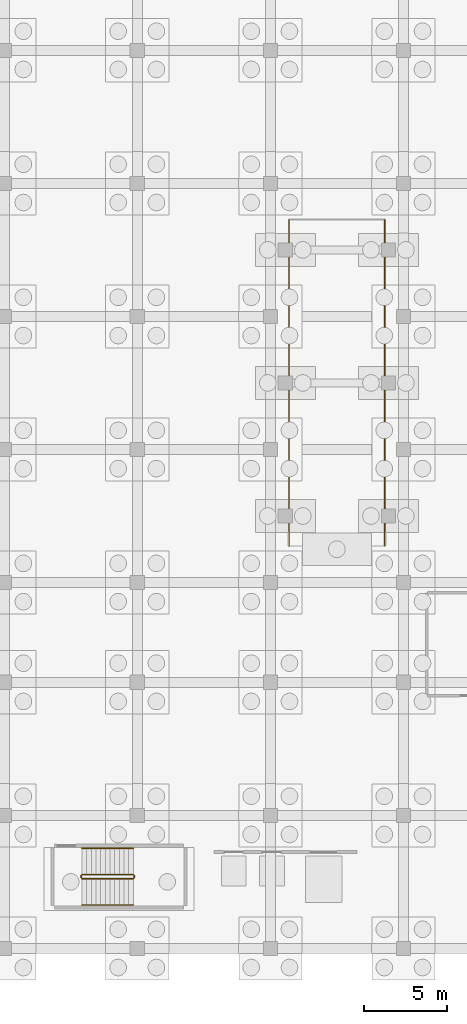
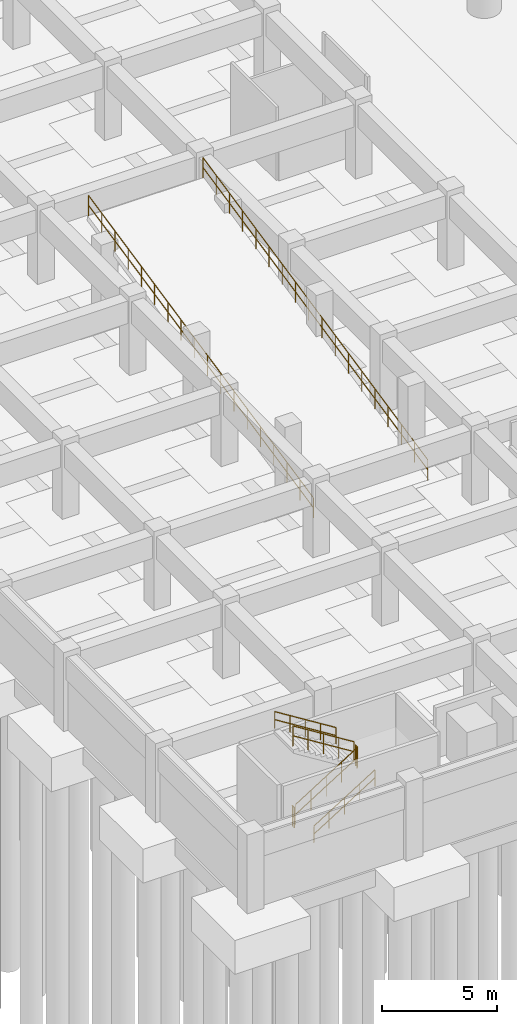
# One storey, part 18 of 23: 8 railings.
"""IFC4 building model written with IfcOpenShell, lengths in metres."""

from ifc_helpers import new_model, si_unit, direction, frame, origin, place, context, subcontext, project, spatial, polyline, outline, extrude, material, type_object, element, save


model = new_model("IFC4")

# Units and contexts
model_context = context("Model", 3, precision=1e-05, world=origin(), true_north=direction((0.0, 1.0)))
body_context = subcontext(model_context, "Body", "Model", "MODEL_VIEW")
ifc_project = project(units=[si_unit("LENGTHUNIT", "METRE"), si_unit("AREAUNIT", "SQUARE_METRE"), si_unit("VOLUMEUNIT", "CUBIC_METRE"), si_unit("PLANEANGLEUNIT", "RADIAN"), si_unit("MASSUNIT", "GRAM", prefix="KILO")], contexts=[model_context])

# Site, building, storey
site_placement = place(None, origin())
site = spatial("IfcSite", under=ifc_project, at=site_placement, CompositionType="ELEMENT")
building_placement = place(site_placement, origin())
building = spatial("IfcBuilding", under=site, at=building_placement, Name="Kelanora Arch Commons", CompositionType="ELEMENT")
storey_placement = place(building_placement, frame((0.0, 0.0, -8.39990234375)))
storey = spatial("IfcBuildingStorey", under=building, at=storey_placement, Name="B02", CompositionType="ELEMENT", Elevation=-8.39990234375)

# Railings
ifc_material_1 = material(Name="Painted steel stair well guard", Category="steel")
railing_type_1 = type_object("IfcRailingType", Name="RAIL-STAIR-GRD", PredefinedType="GUARDRAIL", material=ifc_material_1)
railing_1_placement = place(storey_placement, frame((8.679931640625, 8.18994140625, 0.1748046875)))
element("IfcRailing", 1, at=railing_1_placement, inside=storey, type_object=railing_type_1, Name="B02 ST-M1 stair guard 1", PredefinedType="GUARDRAIL", context=body_context, shape_type="SweptSolid", body=[
    extrude(outline(polyline([(0.02392578125, 0.0), (0.011962890625, 0.020751953125), (-0.011962890625, 0.020751953125), (-0.02392578125, 0.0), (-0.011962890625, -0.020751953125), (0.011962890625, -0.020751953125), (0.02392578125, 0.0)])), frame((0.0, 0.0, 1.076171875), z_axis=(0.847998304005, 0.0, 0.529998940003), x_axis=(0.0, 1.0, 0.0)), (0.0, 0.0, 1.0), 3.632080078125),
    extrude(outline(polyline([(0.02392578125, 0.0), (0.011962890625, 0.020751953125), (-0.011962890625, 0.020751953125), (-0.02392578125, 0.0), (-0.011962890625, -0.020751953125), (0.011962890625, -0.020751953125), (0.02392578125, 0.0)])), frame((0.0, 0.0, 0.550048828125), z_axis=(0.847998304005, 0.0, 0.529998940003), x_axis=(0.0, 1.0, 0.0)), (0.0, 0.0, 1.0), 3.632080078125),
    extrude(outline(polyline([(0.02099609375, 0.0), (0.010498046875, 0.01806640625), (-0.010498046875, 0.01806640625), (-0.02099609375, 0.0), (-0.010498046875, -0.01806640625), (0.010498046875, -0.01806640625), (0.02099609375, 0.0)])), origin(), (0.0, 0.0, 1.0), 1.052001953125),
    extrude(outline(polyline([(0.02099609375, 0.0), (0.010498046875, 0.01806640625), (-0.010498046875, 0.01806640625), (-0.02099609375, 0.0), (-0.010498046875, -0.01806640625), (0.010498046875, -0.01806640625), (0.02099609375, 0.0)])), frame((0.77001953125, 0.0, 0.481201171875)), (0.0, 0.0, 1.0), 1.052001953125),
    extrude(outline(polyline([(0.02099609375, 0.0), (0.010498046875, 0.01806640625), (-0.010498046875, 0.01806640625), (-0.02099609375, 0.0), (-0.010498046875, -0.01806640625), (0.010498046875, -0.01806640625), (0.02099609375, 0.0)])), frame((1.5400390625, 0.0, 0.96240234375)), (0.0, 0.0, 1.0), 1.052001953125),
    extrude(outline(polyline([(0.02099609375, 0.0), (0.010498046875, 0.01806640625), (-0.010498046875, 0.01806640625), (-0.02099609375, 0.0), (-0.010498046875, -0.01806640625), (0.010498046875, -0.01806640625), (0.02099609375, 0.0)])), frame((2.31005859375, 0.0, 1.44384765625)), (0.0, 0.0, 1.0), 1.052001953125),
    extrude(outline(polyline([(0.02099609375, 0.0), (0.010498046875, 0.01806640625), (-0.010498046875, 0.01806640625), (-0.02099609375, 0.0), (-0.010498046875, -0.01806640625), (0.010498046875, -0.01806640625), (0.02099609375, 0.0)])), frame((3.080078125, 0.0, 1.925048828125)), (0.0, 0.0, 1.0), 1.052001953125),
])
railing_2_placement = place(storey_placement, frame((11.81005859375, 8.239990234375, 2.099853515625)))
element("IfcRailing", 2, at=railing_2_placement, inside=storey, type_object=railing_type_1, Name="B02 ST-M1 stair guard 2", PredefinedType="GUARDRAIL", context=body_context, shape_type="SweptSolid", body=[
    extrude(outline(polyline([(0.02392578125, 0.0), (0.011962890625, 0.020751953125), (-0.011962890625, 0.020751953125), (-0.02392578125, 0.0), (-0.011962890625, -0.020751953125), (0.011962890625, -0.020751953125), (0.02392578125, 0.0)])), frame((0.0, 0.0, 1.076171875), z_axis=(0.0, 1.0, 0.0), x_axis=(-1.0, 0.0, 0.0)), (0.0, 0.0, 1.0), 0.14990234375),
    extrude(outline(polyline([(0.02392578125, 0.0), (0.011962890625, 0.020751953125), (-0.011962890625, 0.020751953125), (-0.02392578125, 0.0), (-0.011962890625, -0.020751953125), (0.011962890625, -0.020751953125), (0.02392578125, 0.0)])), frame((0.0, 0.0, 0.550048828125), z_axis=(0.0, 1.0, 0.0), x_axis=(-1.0, 0.0, 0.0)), (0.0, 0.0, 1.0), 0.14990234375),
    extrude(outline(polyline([(0.02099609375, 0.0), (0.010498046875, 0.01806640625), (-0.010498046875, 0.01806640625), (-0.02099609375, 0.0), (-0.010498046875, -0.01806640625), (0.010498046875, -0.01806640625), (0.02099609375, 0.0)])), origin(), (0.0, 0.0, 1.0), 1.052001953125),
    extrude(outline(polyline([(0.02099609375, 0.0), (0.010498046875, 0.01806640625), (-0.010498046875, 0.01806640625), (-0.02099609375, 0.0), (-0.010498046875, -0.01806640625), (0.010498046875, -0.01806640625), (0.02099609375, 0.0)])), frame((0.0, 0.14990234375, 0.0)), (0.0, 0.0, 1.0), 1.052001953125),
])
railing_3_placement = place(storey_placement, frame((11.760009765625, 8.43994140625, 2.27490234375)))
element("IfcRailing", 3, at=railing_3_placement, inside=storey, type_object=railing_type_1, Name="B02 ST-M1 stair guard 3", PredefinedType="GUARDRAIL", context=body_context, shape_type="SweptSolid", body=[
    extrude(outline(polyline([(0.02392578125, 0.0), (0.011962890625, 0.020751953125), (-0.011962890625, 0.020751953125), (-0.02392578125, 0.0), (-0.011962890625, -0.020751953125), (0.011962890625, -0.020751953125), (0.02392578125, 0.0)])), frame((0.0, 0.0, 1.076171875), z_axis=(-0.847998304005, 0.0, 0.529998940003), x_axis=(0.0, -1.0, 0.0)), (0.0, 0.0, 1.0), 3.632080078125),
    extrude(outline(polyline([(0.02392578125, 0.0), (0.011962890625, 0.020751953125), (-0.011962890625, 0.020751953125), (-0.02392578125, 0.0), (-0.011962890625, -0.020751953125), (0.011962890625, -0.020751953125), (0.02392578125, 0.0)])), frame((0.0, 0.0, 0.550048828125), z_axis=(-0.847998304005, 0.0, 0.529998940003), x_axis=(0.0, -1.0, 0.0)), (0.0, 0.0, 1.0), 3.632080078125),
    extrude(outline(polyline([(0.02099609375, 0.0), (0.010498046875, 0.01806640625), (-0.010498046875, 0.01806640625), (-0.02099609375, 0.0), (-0.010498046875, -0.01806640625), (0.010498046875, -0.01806640625), (0.02099609375, 0.0)])), origin(), (0.0, 0.0, 1.0), 1.052001953125),
    extrude(outline(polyline([(0.02099609375, 0.0), (0.010498046875, 0.01806640625), (-0.010498046875, 0.01806640625), (-0.02099609375, 0.0), (-0.010498046875, -0.01806640625), (0.010498046875, -0.01806640625), (0.02099609375, 0.0)])), frame((-0.77001953125, 0.0, 0.481201171875)), (0.0, 0.0, 1.0), 1.052001953125),
    extrude(outline(polyline([(0.02099609375, 0.0), (0.010498046875, 0.01806640625), (-0.010498046875, 0.01806640625), (-0.02099609375, 0.0), (-0.010498046875, -0.01806640625), (0.010498046875, -0.01806640625), (0.02099609375, 0.0)])), frame((-1.5400390625, 0.0, 0.96240234375)), (0.0, 0.0, 1.0), 1.052001953125),
    extrude(outline(polyline([(0.02099609375, 0.0), (0.010498046875, 0.01806640625), (-0.010498046875, 0.01806640625), (-0.02099609375, 0.0), (-0.010498046875, -0.01806640625), (0.010498046875, -0.01806640625), (0.02099609375, 0.0)])), frame((-2.31005859375, 0.0, 1.44384765625)), (0.0, 0.0, 1.0), 1.052001953125),
    extrude(outline(polyline([(0.02099609375, 0.0), (0.010498046875, 0.01806640625), (-0.010498046875, 0.01806640625), (-0.02099609375, 0.0), (-0.010498046875, -0.01806640625), (0.010498046875, -0.01806640625), (0.02099609375, 0.0)])), frame((-3.080078125, 0.0, 1.925048828125)), (0.0, 0.0, 1.0), 1.052001953125),
])
railing_4_placement = place(storey_placement, frame((8.6298828125, 8.239990234375, 0.0)))
element("IfcRailing", 4, at=railing_4_placement, inside=storey, type_object=railing_type_1, Name="B02 ST-M1 stair guard 4", PredefinedType="GUARDRAIL", context=body_context, shape_type="SweptSolid", body=[
    extrude(outline(polyline([(0.02392578125, 0.0), (0.011962890625, 0.020751953125), (-0.011962890625, 0.020751953125), (-0.02392578125, 0.0), (-0.011962890625, -0.020751953125), (0.011962890625, -0.020751953125), (0.02392578125, 0.0)])), frame((0.0, 0.0, 1.076171875), z_axis=(0.0, 1.0, 0.0), x_axis=(-1.0, 0.0, 0.0)), (0.0, 0.0, 1.0), 0.14990234375),
    extrude(outline(polyline([(0.02392578125, 0.0), (0.011962890625, 0.020751953125), (-0.011962890625, 0.020751953125), (-0.02392578125, 0.0), (-0.011962890625, -0.020751953125), (0.011962890625, -0.020751953125), (0.02392578125, 0.0)])), frame((0.0, 0.0, 0.550048828125), z_axis=(0.0, 1.0, 0.0), x_axis=(-1.0, 0.0, 0.0)), (0.0, 0.0, 1.0), 0.14990234375),
    extrude(outline(polyline([(0.02099609375, 0.0), (0.010498046875, 0.01806640625), (-0.010498046875, 0.01806640625), (-0.02099609375, 0.0), (-0.010498046875, -0.01806640625), (0.010498046875, -0.01806640625), (0.02099609375, 0.0)])), origin(), (0.0, 0.0, 1.0), 1.052001953125),
    extrude(outline(polyline([(0.02099609375, 0.0), (0.010498046875, 0.01806640625), (-0.010498046875, 0.01806640625), (-0.02099609375, 0.0), (-0.010498046875, -0.01806640625), (0.010498046875, -0.01806640625), (0.02099609375, 0.0)])), frame((0.0, 0.14990234375, 0.0)), (0.0, 0.0, 1.0), 1.052001953125),
])
railing_5_placement = place(storey_placement, frame((21.1201171875, 28.199951171875, 0.0)))
element("IfcRailing", 5, at=railing_5_placement, inside=storey, type_object=railing_type_1, Name="Vehicle Ramp Guard VEH-B02-B01-W", PredefinedType="GUARDRAIL", context=body_context, shape_type="SweptSolid", body=[
    extrude(outline(polyline([(0.02392578125, 0.0), (0.011962890625, 0.020751953125), (-0.011962890625, 0.020751953125), (-0.02392578125, 0.0), (-0.011962890625, -0.020751953125), (0.011962890625, -0.020751953125), (0.02392578125, 0.0)])), frame((0.0, 0.0, 1.076171875), z_axis=(0.0, 0.977803127024, 0.209525761618), x_axis=(-1.0, 0.0, 0.0)), (0.0, 0.0, 1.0), 20.044921875),
    extrude(outline(polyline([(0.02392578125, 0.0), (0.011962890625, 0.020751953125), (-0.011962890625, 0.020751953125), (-0.02392578125, 0.0), (-0.011962890625, -0.020751953125), (0.011962890625, -0.020751953125), (0.02392578125, 0.0)])), frame((0.0, 0.0, 0.550048828125), z_axis=(0.0, 0.977803127024, 0.209525761618), x_axis=(-1.0, 0.0, 0.0)), (0.0, 0.0, 1.0), 20.044921875),
    extrude(outline(polyline([(0.02099609375, 0.0), (0.010498046875, 0.01806640625), (-0.010498046875, 0.01806640625), (-0.02099609375, 0.0), (-0.010498046875, -0.01806640625), (0.010498046875, -0.01806640625), (0.02099609375, 0.0)])), origin(), (0.0, 0.0, 1.0), 1.052001953125),
    extrude(outline(polyline([(0.02099609375, 0.0), (0.010498046875, 0.01806640625), (-0.010498046875, 0.01806640625), (-0.02099609375, 0.0), (-0.010498046875, -0.01806640625), (0.010498046875, -0.01806640625), (0.02099609375, 0.0)])), frame((0.0, 1.15283203125, 0.2470703125)), (0.0, 0.0, 1.0), 1.052001953125),
    extrude(outline(polyline([(0.02099609375, 0.0), (0.010498046875, 0.01806640625), (-0.010498046875, 0.01806640625), (-0.02099609375, 0.0), (-0.010498046875, -0.01806640625), (0.010498046875, -0.01806640625), (0.02099609375, 0.0)])), frame((0.0, 2.305908203125, 0.494140625)), (0.0, 0.0, 1.0), 1.052001953125),
    extrude(outline(polyline([(0.02099609375, 0.0), (0.010498046875, 0.01806640625), (-0.010498046875, 0.01806640625), (-0.02099609375, 0.0), (-0.010498046875, -0.01806640625), (0.010498046875, -0.01806640625), (0.02099609375, 0.0)])), frame((0.0, 3.458740234375, 0.7412109375)), (0.0, 0.0, 1.0), 1.052001953125),
    extrude(outline(polyline([(0.02099609375, 0.0), (0.010498046875, 0.01806640625), (-0.010498046875, 0.01806640625), (-0.02099609375, 0.0), (-0.010498046875, -0.01806640625), (0.010498046875, -0.01806640625), (0.02099609375, 0.0)])), frame((0.0, 4.61181640625, 0.98828125)), (0.0, 0.0, 1.0), 1.052001953125),
    extrude(outline(polyline([(0.02099609375, 0.0), (0.010498046875, 0.01806640625), (-0.010498046875, 0.01806640625), (-0.02099609375, 0.0), (-0.010498046875, -0.01806640625), (0.010498046875, -0.01806640625), (0.02099609375, 0.0)])), frame((0.0, 5.7646484375, 1.2353515625)), (0.0, 0.0, 1.0), 1.052001953125),
    extrude(outline(polyline([(0.02099609375, 0.0), (0.010498046875, 0.01806640625), (-0.010498046875, 0.01806640625), (-0.02099609375, 0.0), (-0.010498046875, -0.01806640625), (0.010498046875, -0.01806640625), (0.02099609375, 0.0)])), frame((0.0, 6.917724609375, 1.482421875)), (0.0, 0.0, 1.0), 1.052001953125),
    extrude(outline(polyline([(0.02099609375, 0.0), (0.010498046875, 0.01806640625), (-0.010498046875, 0.01806640625), (-0.02099609375, 0.0), (-0.010498046875, -0.01806640625), (0.010498046875, -0.01806640625), (0.02099609375, 0.0)])), frame((0.0, 8.070556640625, 1.7294921875)), (0.0, 0.0, 1.0), 1.052001953125),
    extrude(outline(polyline([(0.02099609375, 0.0), (0.010498046875, 0.01806640625), (-0.010498046875, 0.01806640625), (-0.02099609375, 0.0), (-0.010498046875, -0.01806640625), (0.010498046875, -0.01806640625), (0.02099609375, 0.0)])), frame((0.0, 9.2236328125, 1.9765625)), (0.0, 0.0, 1.0), 1.052001953125),
    extrude(outline(polyline([(0.02099609375, 0.0), (0.010498046875, 0.01806640625), (-0.010498046875, 0.01806640625), (-0.02099609375, 0.0), (-0.010498046875, -0.01806640625), (0.010498046875, -0.01806640625), (0.02099609375, 0.0)])), frame((0.0, 10.37646484375, 2.223388671875)), (0.0, 0.0, 1.0), 1.052001953125),
    extrude(outline(polyline([(0.02099609375, 0.0), (0.010498046875, 0.01806640625), (-0.010498046875, 0.01806640625), (-0.02099609375, 0.0), (-0.010498046875, -0.01806640625), (0.010498046875, -0.01806640625), (0.02099609375, 0.0)])), frame((0.0, 11.529541015625, 2.470458984375)), (0.0, 0.0, 1.0), 1.052001953125),
    extrude(outline(polyline([(0.02099609375, 0.0), (0.010498046875, 0.01806640625), (-0.010498046875, 0.01806640625), (-0.02099609375, 0.0), (-0.010498046875, -0.01806640625), (0.010498046875, -0.01806640625), (0.02099609375, 0.0)])), frame((0.0, 12.682373046875, 2.717529296875)), (0.0, 0.0, 1.0), 1.052001953125),
    extrude(outline(polyline([(0.02099609375, 0.0), (0.010498046875, 0.01806640625), (-0.010498046875, 0.01806640625), (-0.02099609375, 0.0), (-0.010498046875, -0.01806640625), (0.010498046875, -0.01806640625), (0.02099609375, 0.0)])), frame((0.0, 13.83544921875, 2.964599609375)), (0.0, 0.0, 1.0), 1.052001953125),
    extrude(outline(polyline([(0.02099609375, 0.0), (0.010498046875, 0.01806640625), (-0.010498046875, 0.01806640625), (-0.02099609375, 0.0), (-0.010498046875, -0.01806640625), (0.010498046875, -0.01806640625), (0.02099609375, 0.0)])), frame((0.0, 14.98828125, 3.211669921875)), (0.0, 0.0, 1.0), 1.052001953125),
    extrude(outline(polyline([(0.02099609375, 0.0), (0.010498046875, 0.01806640625), (-0.010498046875, 0.01806640625), (-0.02099609375, 0.0), (-0.010498046875, -0.01806640625), (0.010498046875, -0.01806640625), (0.02099609375, 0.0)])), frame((0.0, 16.141357421875, 3.458740234375)), (0.0, 0.0, 1.0), 1.052001953125),
    extrude(outline(polyline([(0.02099609375, 0.0), (0.010498046875, 0.01806640625), (-0.010498046875, 0.01806640625), (-0.02099609375, 0.0), (-0.010498046875, -0.01806640625), (0.010498046875, -0.01806640625), (0.02099609375, 0.0)])), frame((0.0, 17.294189453125, 3.705810546875)), (0.0, 0.0, 1.0), 1.052001953125),
    extrude(outline(polyline([(0.02099609375, 0.0), (0.010498046875, 0.01806640625), (-0.010498046875, 0.01806640625), (-0.02099609375, 0.0), (-0.010498046875, -0.01806640625), (0.010498046875, -0.01806640625), (0.02099609375, 0.0)])), frame((0.0, 18.447265625, 3.952880859375)), (0.0, 0.0, 1.0), 1.052001953125),
    extrude(outline(polyline([(0.02099609375, 0.0), (0.010498046875, 0.01806640625), (-0.010498046875, 0.01806640625), (-0.02099609375, 0.0), (-0.010498046875, -0.01806640625), (0.010498046875, -0.01806640625), (0.02099609375, 0.0)])), frame((0.0, 19.60009765625, 4.199951171875)), (0.0, 0.0, 1.0), 1.052001953125),
])
railing_6_placement = place(storey_placement, frame((26.8798828125, 28.199951171875, 0.0)))
element("IfcRailing", 6, at=railing_6_placement, inside=storey, type_object=railing_type_1, Name="Vehicle Ramp Guard VEH-B02-B01-E", PredefinedType="GUARDRAIL", context=body_context, shape_type="SweptSolid", body=[
    extrude(outline(polyline([(0.02392578125, 0.0), (0.011962890625, 0.020751953125), (-0.011962890625, 0.020751953125), (-0.02392578125, 0.0), (-0.011962890625, -0.020751953125), (0.011962890625, -0.020751953125), (0.02392578125, 0.0)])), frame((0.0, 0.0, 1.076171875), z_axis=(0.0, 0.977803127024, 0.209525761618), x_axis=(-1.0, 0.0, 0.0)), (0.0, 0.0, 1.0), 20.044921875),
    extrude(outline(polyline([(0.02392578125, 0.0), (0.011962890625, 0.020751953125), (-0.011962890625, 0.020751953125), (-0.02392578125, 0.0), (-0.011962890625, -0.020751953125), (0.011962890625, -0.020751953125), (0.02392578125, 0.0)])), frame((0.0, 0.0, 0.550048828125), z_axis=(0.0, 0.977803127024, 0.209525761618), x_axis=(-1.0, 0.0, 0.0)), (0.0, 0.0, 1.0), 20.044921875),
    extrude(outline(polyline([(0.02099609375, 0.0), (0.010498046875, 0.01806640625), (-0.010498046875, 0.01806640625), (-0.02099609375, 0.0), (-0.010498046875, -0.01806640625), (0.010498046875, -0.01806640625), (0.02099609375, 0.0)])), origin(), (0.0, 0.0, 1.0), 1.052001953125),
    extrude(outline(polyline([(0.02099609375, 0.0), (0.010498046875, 0.01806640625), (-0.010498046875, 0.01806640625), (-0.02099609375, 0.0), (-0.010498046875, -0.01806640625), (0.010498046875, -0.01806640625), (0.02099609375, 0.0)])), frame((0.0, 1.15283203125, 0.2470703125)), (0.0, 0.0, 1.0), 1.052001953125),
    extrude(outline(polyline([(0.02099609375, 0.0), (0.010498046875, 0.01806640625), (-0.010498046875, 0.01806640625), (-0.02099609375, 0.0), (-0.010498046875, -0.01806640625), (0.010498046875, -0.01806640625), (0.02099609375, 0.0)])), frame((0.0, 2.305908203125, 0.494140625)), (0.0, 0.0, 1.0), 1.052001953125),
    extrude(outline(polyline([(0.02099609375, 0.0), (0.010498046875, 0.01806640625), (-0.010498046875, 0.01806640625), (-0.02099609375, 0.0), (-0.010498046875, -0.01806640625), (0.010498046875, -0.01806640625), (0.02099609375, 0.0)])), frame((0.0, 3.458740234375, 0.7412109375)), (0.0, 0.0, 1.0), 1.052001953125),
    extrude(outline(polyline([(0.02099609375, 0.0), (0.010498046875, 0.01806640625), (-0.010498046875, 0.01806640625), (-0.02099609375, 0.0), (-0.010498046875, -0.01806640625), (0.010498046875, -0.01806640625), (0.02099609375, 0.0)])), frame((0.0, 4.61181640625, 0.98828125)), (0.0, 0.0, 1.0), 1.052001953125),
    extrude(outline(polyline([(0.02099609375, 0.0), (0.010498046875, 0.01806640625), (-0.010498046875, 0.01806640625), (-0.02099609375, 0.0), (-0.010498046875, -0.01806640625), (0.010498046875, -0.01806640625), (0.02099609375, 0.0)])), frame((0.0, 5.7646484375, 1.2353515625)), (0.0, 0.0, 1.0), 1.052001953125),
    extrude(outline(polyline([(0.02099609375, 0.0), (0.010498046875, 0.01806640625), (-0.010498046875, 0.01806640625), (-0.02099609375, 0.0), (-0.010498046875, -0.01806640625), (0.010498046875, -0.01806640625), (0.02099609375, 0.0)])), frame((0.0, 6.917724609375, 1.482421875)), (0.0, 0.0, 1.0), 1.052001953125),
    extrude(outline(polyline([(0.02099609375, 0.0), (0.010498046875, 0.01806640625), (-0.010498046875, 0.01806640625), (-0.02099609375, 0.0), (-0.010498046875, -0.01806640625), (0.010498046875, -0.01806640625), (0.02099609375, 0.0)])), frame((0.0, 8.070556640625, 1.7294921875)), (0.0, 0.0, 1.0), 1.052001953125),
    extrude(outline(polyline([(0.02099609375, 0.0), (0.010498046875, 0.01806640625), (-0.010498046875, 0.01806640625), (-0.02099609375, 0.0), (-0.010498046875, -0.01806640625), (0.010498046875, -0.01806640625), (0.02099609375, 0.0)])), frame((0.0, 9.2236328125, 1.9765625)), (0.0, 0.0, 1.0), 1.052001953125),
    extrude(outline(polyline([(0.02099609375, 0.0), (0.010498046875, 0.01806640625), (-0.010498046875, 0.01806640625), (-0.02099609375, 0.0), (-0.010498046875, -0.01806640625), (0.010498046875, -0.01806640625), (0.02099609375, 0.0)])), frame((0.0, 10.37646484375, 2.223388671875)), (0.0, 0.0, 1.0), 1.052001953125),
    extrude(outline(polyline([(0.02099609375, 0.0), (0.010498046875, 0.01806640625), (-0.010498046875, 0.01806640625), (-0.02099609375, 0.0), (-0.010498046875, -0.01806640625), (0.010498046875, -0.01806640625), (0.02099609375, 0.0)])), frame((0.0, 11.529541015625, 2.470458984375)), (0.0, 0.0, 1.0), 1.052001953125),
    extrude(outline(polyline([(0.02099609375, 0.0), (0.010498046875, 0.01806640625), (-0.010498046875, 0.01806640625), (-0.02099609375, 0.0), (-0.010498046875, -0.01806640625), (0.010498046875, -0.01806640625), (0.02099609375, 0.0)])), frame((0.0, 12.682373046875, 2.717529296875)), (0.0, 0.0, 1.0), 1.052001953125),
    extrude(outline(polyline([(0.02099609375, 0.0), (0.010498046875, 0.01806640625), (-0.010498046875, 0.01806640625), (-0.02099609375, 0.0), (-0.010498046875, -0.01806640625), (0.010498046875, -0.01806640625), (0.02099609375, 0.0)])), frame((0.0, 13.83544921875, 2.964599609375)), (0.0, 0.0, 1.0), 1.052001953125),
    extrude(outline(polyline([(0.02099609375, 0.0), (0.010498046875, 0.01806640625), (-0.010498046875, 0.01806640625), (-0.02099609375, 0.0), (-0.010498046875, -0.01806640625), (0.010498046875, -0.01806640625), (0.02099609375, 0.0)])), frame((0.0, 14.98828125, 3.211669921875)), (0.0, 0.0, 1.0), 1.052001953125),
    extrude(outline(polyline([(0.02099609375, 0.0), (0.010498046875, 0.01806640625), (-0.010498046875, 0.01806640625), (-0.02099609375, 0.0), (-0.010498046875, -0.01806640625), (0.010498046875, -0.01806640625), (0.02099609375, 0.0)])), frame((0.0, 16.141357421875, 3.458740234375)), (0.0, 0.0, 1.0), 1.052001953125),
    extrude(outline(polyline([(0.02099609375, 0.0), (0.010498046875, 0.01806640625), (-0.010498046875, 0.01806640625), (-0.02099609375, 0.0), (-0.010498046875, -0.01806640625), (0.010498046875, -0.01806640625), (0.02099609375, 0.0)])), frame((0.0, 17.294189453125, 3.705810546875)), (0.0, 0.0, 1.0), 1.052001953125),
    extrude(outline(polyline([(0.02099609375, 0.0), (0.010498046875, 0.01806640625), (-0.010498046875, 0.01806640625), (-0.02099609375, 0.0), (-0.010498046875, -0.01806640625), (0.010498046875, -0.01806640625), (0.02099609375, 0.0)])), frame((0.0, 18.447265625, 3.952880859375)), (0.0, 0.0, 1.0), 1.052001953125),
    extrude(outline(polyline([(0.02099609375, 0.0), (0.010498046875, 0.01806640625), (-0.010498046875, 0.01806640625), (-0.02099609375, 0.0), (-0.010498046875, -0.01806640625), (0.010498046875, -0.01806640625), (0.02099609375, 0.0)])), frame((0.0, 19.60009765625, 4.199951171875)), (0.0, 0.0, 1.0), 1.052001953125),
])
ifc_material_2 = material(Name="Brushed stainless steel stair handrail", Category="steel")
railing_type_2 = type_object("IfcRailingType", Name="RAIL-STAIR-HND", PredefinedType="HANDRAIL", material=ifc_material_2)
railing_7_placement = place(storey_placement, frame((8.679931640625, 6.610107421875, 0.1748046875)))
element("IfcRailing", 7, at=railing_7_placement, inside=storey, type_object=railing_type_2, Name="B02 ST-M1 stair handrail 1", PredefinedType="HANDRAIL", context=body_context, shape_type="SweptSolid", body=[
    extrude(outline(polyline([(0.02392578125, 0.0), (0.011962890625, 0.020751953125), (-0.011962890625, 0.020751953125), (-0.02392578125, 0.0), (-0.011962890625, -0.020751953125), (0.011962890625, -0.020751953125), (0.02392578125, 0.0)])), frame((0.0, 0.0, 0.8759765625), z_axis=(0.847998304005, 0.0, 0.529998940003), x_axis=(0.0, 1.0, 0.0)), (0.0, 0.0, 1.0), 3.632080078125),
    extrude(outline(polyline([(0.02392578125, 0.0), (0.011962890625, 0.020751953125), (-0.011962890625, 0.020751953125), (-0.02392578125, 0.0), (-0.011962890625, -0.020751953125), (0.011962890625, -0.020751953125), (0.02392578125, 0.0)])), frame((0.0, 0.0, 0.449951171875), z_axis=(0.847998304005, 0.0, 0.529998940003), x_axis=(0.0, 1.0, 0.0)), (0.0, 0.0, 1.0), 3.632080078125),
    extrude(outline(polyline([(0.02099609375, 0.0), (0.010498046875, 0.01806640625), (-0.010498046875, 0.01806640625), (-0.02099609375, 0.0), (-0.010498046875, -0.01806640625), (0.010498046875, -0.01806640625), (0.02099609375, 0.0)])), origin(), (0.0, 0.0, 1.0), 0.851806640625),
    extrude(outline(polyline([(0.02099609375, 0.0), (0.010498046875, 0.01806640625), (-0.010498046875, 0.01806640625), (-0.02099609375, 0.0), (-0.010498046875, -0.01806640625), (0.010498046875, -0.01806640625), (0.02099609375, 0.0)])), frame((0.77001953125, 0.0, 0.481201171875)), (0.0, 0.0, 1.0), 0.851806640625),
    extrude(outline(polyline([(0.02099609375, 0.0), (0.010498046875, 0.01806640625), (-0.010498046875, 0.01806640625), (-0.02099609375, 0.0), (-0.010498046875, -0.01806640625), (0.010498046875, -0.01806640625), (0.02099609375, 0.0)])), frame((1.5400390625, 0.0, 0.96240234375)), (0.0, 0.0, 1.0), 0.851806640625),
    extrude(outline(polyline([(0.02099609375, 0.0), (0.010498046875, 0.01806640625), (-0.010498046875, 0.01806640625), (-0.02099609375, 0.0), (-0.010498046875, -0.01806640625), (0.010498046875, -0.01806640625), (0.02099609375, 0.0)])), frame((2.31005859375, 0.0, 1.44384765625)), (0.0, 0.0, 1.0), 0.851806640625),
    extrude(outline(polyline([(0.02099609375, 0.0), (0.010498046875, 0.01806640625), (-0.010498046875, 0.01806640625), (-0.02099609375, 0.0), (-0.010498046875, -0.01806640625), (0.010498046875, -0.01806640625), (0.02099609375, 0.0)])), frame((3.080078125, 0.0, 1.925048828125)), (0.0, 0.0, 1.0), 0.851806640625),
])
railing_8_placement = place(storey_placement, frame((11.760009765625, 10.02001953125, 2.27490234375)))
element("IfcRailing", 8, at=railing_8_placement, inside=storey, type_object=railing_type_2, Name="B02 ST-M1 stair handrail 2", PredefinedType="HANDRAIL", context=body_context, shape_type="SweptSolid", body=[
    extrude(outline(polyline([(0.02392578125, 0.0), (0.011962890625, 0.020751953125), (-0.011962890625, 0.020751953125), (-0.02392578125, 0.0), (-0.011962890625, -0.020751953125), (0.011962890625, -0.020751953125), (0.02392578125, 0.0)])), frame((0.0, 0.0, 0.8759765625), z_axis=(-0.847998304005, 0.0, 0.529998940003), x_axis=(0.0, -1.0, 0.0)), (0.0, 0.0, 1.0), 3.632080078125),
    extrude(outline(polyline([(0.02392578125, 0.0), (0.011962890625, 0.020751953125), (-0.011962890625, 0.020751953125), (-0.02392578125, 0.0), (-0.011962890625, -0.020751953125), (0.011962890625, -0.020751953125), (0.02392578125, 0.0)])), frame((0.0, 0.0, 0.449951171875), z_axis=(-0.847998304005, 0.0, 0.529998940003), x_axis=(0.0, -1.0, 0.0)), (0.0, 0.0, 1.0), 3.632080078125),
    extrude(outline(polyline([(0.02099609375, 0.0), (0.010498046875, 0.01806640625), (-0.010498046875, 0.01806640625), (-0.02099609375, 0.0), (-0.010498046875, -0.01806640625), (0.010498046875, -0.01806640625), (0.02099609375, 0.0)])), origin(), (0.0, 0.0, 1.0), 0.851806640625),
    extrude(outline(polyline([(0.02099609375, 0.0), (0.010498046875, 0.01806640625), (-0.010498046875, 0.01806640625), (-0.02099609375, 0.0), (-0.010498046875, -0.01806640625), (0.010498046875, -0.01806640625), (0.02099609375, 0.0)])), frame((-0.77001953125, 0.0, 0.481201171875)), (0.0, 0.0, 1.0), 0.851806640625),
    extrude(outline(polyline([(0.02099609375, 0.0), (0.010498046875, 0.01806640625), (-0.010498046875, 0.01806640625), (-0.02099609375, 0.0), (-0.010498046875, -0.01806640625), (0.010498046875, -0.01806640625), (0.02099609375, 0.0)])), frame((-1.5400390625, 0.0, 0.96240234375)), (0.0, 0.0, 1.0), 0.851806640625),
    extrude(outline(polyline([(0.02099609375, 0.0), (0.010498046875, 0.01806640625), (-0.010498046875, 0.01806640625), (-0.02099609375, 0.0), (-0.010498046875, -0.01806640625), (0.010498046875, -0.01806640625), (0.02099609375, 0.0)])), frame((-2.31005859375, 0.0, 1.44384765625)), (0.0, 0.0, 1.0), 0.851806640625),
    extrude(outline(polyline([(0.02099609375, 0.0), (0.010498046875, 0.01806640625), (-0.010498046875, 0.01806640625), (-0.02099609375, 0.0), (-0.010498046875, -0.01806640625), (0.010498046875, -0.01806640625), (0.02099609375, 0.0)])), frame((-3.080078125, 0.0, 1.925048828125)), (0.0, 0.0, 1.0), 0.851806640625),
])

save(model, "model.ifc")
